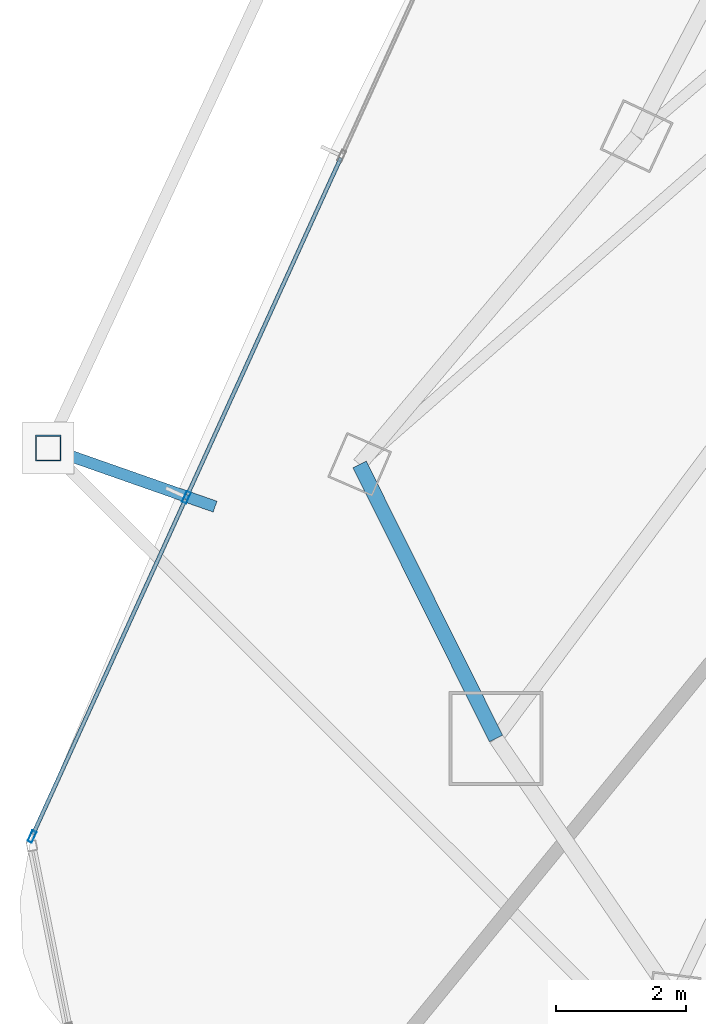
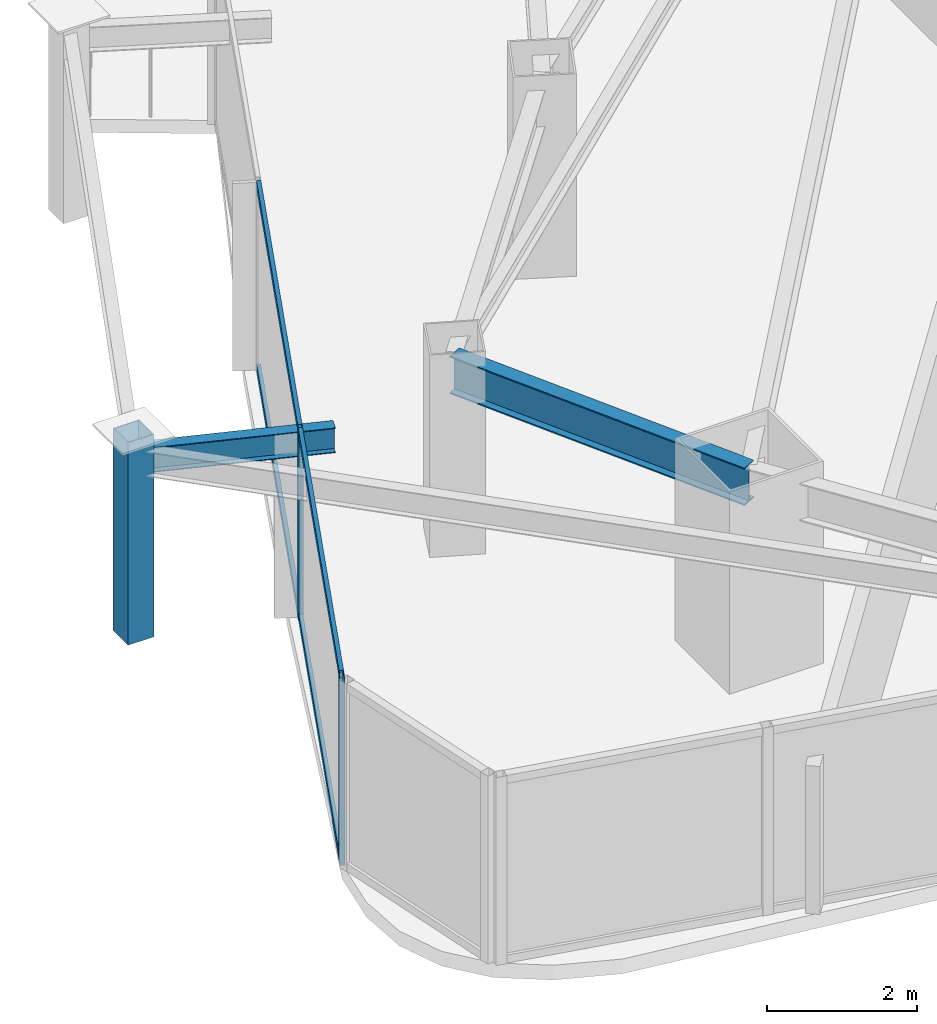
# One storey, part 5 of 33: 7 members, 2 beams, 1 element without a shape of its own.
"""IFC4 building model written with IfcOpenShell, lengths in metres."""

from ifc_helpers import new_model, si_unit, direction, frame, origin, origin_2d, place, context, subcontext, project, spatial, hollow_rectangle, i_section, extrude, material, layer, layer_set, material_profile, profile_set, type_object, element, aggregate, save


model = new_model("IFC4")

# Units and contexts
model_context = context("Model", 3, precision=1e-05, world=origin(), true_north=direction((0.0, 1.0)))
body_context = subcontext(model_context, "Body", "Model", "MODEL_VIEW")
ifc_project = project(units=[si_unit("LENGTHUNIT", "METRE"), si_unit("AREAUNIT", "SQUARE_METRE"), si_unit("VOLUMEUNIT", "CUBIC_METRE"), si_unit("PLANEANGLEUNIT", "RADIAN"), si_unit("MASSUNIT", "GRAM", prefix="KILO")], contexts=[model_context])

# Site, building, storey
site_placement = place(None, origin())
site = spatial("IfcSite", under=ifc_project, at=site_placement, CompositionType="ELEMENT")
building_placement = place(site_placement, origin())
building = spatial("IfcBuilding", under=site, at=building_placement, Name="Orvanel Arch Residences", CompositionType="ELEMENT")
storey_placement = place(building_placement, frame((0.0, 0.0, 123.199951171875)))
storey = spatial("IfcBuildingStorey", under=building, at=storey_placement, Name="L34", CompositionType="ELEMENT", Elevation=123.199951171875)

# Curtain wall, members
ifc_material_1 = material(Name="Bronze-anodised aluminium AA6063-T6", Category="aluminium")
ifc_layer = layer(ifc_material_1, 0.179931640625)
ifc_layer_set = layer_set([ifc_layer], Name="Bronze-anodised aluminium AA6063-T6")
curtain_wall_type = type_object("IfcCurtainWallType", Name="CW3-MID-SYS", PredefinedType="NOTDEFINED", material=ifc_layer_set)
curtain_wall_placement = place(storey_placement, origin())
curtain_wall = element("IfcCurtainWall", 1, at=curtain_wall_placement, inside=storey, type_object=curtain_wall_type, Name="L34 CW3-MID-SYS Unitised Curtain Wall", PredefinedType="NOTDEFINED")
ifc_material_profile_1 = material_profile(ifc_material_1, hollow_rectangle(XDim=0.070068359375, YDim=0.179931640625, WallThickness=0.00439453125, at=origin_2d()), Name="ALU180x70x4.5")
ifc_profile_set_1 = profile_set([ifc_material_profile_1], Name="Bronze-anodised aluminium AA6063-T6")
member_type_1 = type_object("IfcMemberType", Name="MUL-180x70", PredefinedType="MULLION", material=ifc_profile_set_1)
member_1_placement = place(storey_placement, frame((9.423583984375, 14.07275390625, 0.0), z_axis=(0.0, 0.0, 1.0), x_axis=(0.9102243469, -0.414115489097, 0.0)))
member_1 = element("IfcMember", 2, at=member_1_placement, type_object=member_type_1, Name="CW-S3 mullion 3", PredefinedType="MULLION", context=body_context, shape_type="SweptSolid", body=[
    extrude(hollow_rectangle(XDim=0.070068359375, YDim=0.179931640625, WallThickness=0.00439453125, at=origin_2d()), origin(), (0.0, 0.0, 1.0), 3.06005859375),
])
member_2_placement = place(storey_placement, frame((7.04248046875, 8.8388671875, 0.0), z_axis=(0.0, 0.0, 1.0), x_axis=(0.9102243469, -0.414115489097, 0.0)))
member_2 = element("IfcMember", 3, at=member_2_placement, type_object=member_type_1, Name="CW-S3 mullion 4", PredefinedType="MULLION", context=body_context, shape_type="SweptSolid", body=[
    extrude(hollow_rectangle(XDim=0.070068359375, YDim=0.179931640625, WallThickness=0.00439453125, at=origin_2d()), origin(), (0.0, 0.0, 1.0), 3.06005859375),
])

# Beams
ifc_material_2 = material(Name="Structural steel AS/NZS 3679.1 Grade 300 (300 MPa)", Category="steel")
ifc_material_profile_2 = material_profile(ifc_material_2, i_section(OverallWidth=0.177978515625, OverallDepth=0.406005859375, WebThickness=0.0078125, FlangeThickness=0.0126953125, at=origin_2d()), Name="410UB59.7")
ifc_profile_set_2 = profile_set([ifc_material_profile_2], Name="Structural steel AS/NZS 3679.1 Grade 300 (300 MPa)")
beam_type_1 = type_object("IfcBeamType", Name="OB-410UB-EXT", PredefinedType="SPANDREL", material=ifc_profile_set_2)
beam_1_placement = place(storey_placement, frame((9.865966796875, 13.927978515625, 2.85693359375), z_axis=(-0.943680931687, 0.330856916461, 0.0), x_axis=(-0.330856916461, -0.943680931687, 0.0)))
element("IfcBeam", 4, at=beam_1_placement, inside=storey, type_object=beam_type_1, Name="L34 Outer Frame Radial Tie Beam 04", PredefinedType="SPANDREL", context=body_context, shape_type="SweptSolid", body=[
    extrude(i_section(OverallWidth=0.177978515625, OverallDepth=0.406005859375, WebThickness=0.0078125, FlangeThickness=0.0126953125, at=origin_2d()), origin(), (0.0, 0.0, 1.0), 2.7265625),
])
ifc_material_profile_3 = material_profile(ifc_material_2, i_section(OverallWidth=0.22900390625, OverallDepth=0.612060546875, WebThickness=0.011962890625, FlangeThickness=0.01953125, at=origin_2d()), Name="610UB125")
ifc_profile_set_3 = profile_set([ifc_material_profile_3], Name="Structural steel AS/NZS 3679.1 Grade 300 (300 MPa)")
beam_type_2 = type_object("IfcBeamType", Name="SP-610UB", PredefinedType="SPANDREL", material=ifc_profile_set_3)
beam_2_placement = place(storey_placement, frame((12.094970703125, 14.580078125, 2.754150390625), z_axis=(0.44543469453, -0.895314432425, 0.0), x_axis=(0.895314432425, 0.44543469453, 0.0)))
element("IfcBeam", 5, at=beam_2_placement, inside=storey, type_object=beam_type_2, Name="L34 Perimeter Spandrel Beam 02", PredefinedType="SPANDREL", context=body_context, shape_type="SweptSolid", body=[
    extrude(i_section(OverallWidth=0.22900390625, OverallDepth=0.612060546875, WebThickness=0.011962890625, FlangeThickness=0.01953125, at=origin_2d()), origin(), (0.0, 0.0, 1.0), 4.723388671875),
])

# Member
ifc_material_3 = material(Name="Structural steel AS/NZS 1163 C450L0 (Grade 450)", Category="steel")
ifc_material_profile_4 = material_profile(ifc_material_3, hollow_rectangle(XDim=0.39990234375, YDim=0.39990234375, WallThickness=0.01611328125, at=origin_2d()), Name="SHS400x400x16")
ifc_profile_set_4 = profile_set([ifc_material_profile_4], Name="Structural steel AS/NZS 1163 C450L0 (Grade 450)")
member_type_2 = type_object("IfcMemberType", Name="ST-400SHS-EXT", PredefinedType="STRUT", material=ifc_profile_set_4)
member_3_placement = place(storey_placement, frame((7.29296875, 14.830078125, 0.0), z_axis=(0.0, 0.0, 1.0), x_axis=(1.0, 0.0, 0.0)))
element("IfcMember", 6, at=member_3_placement, inside=storey, type_object=member_type_2, Name="L34 Outer Perimeter Frame Post 04", PredefinedType="STRUT", context=body_context, shape_type="SweptSolid", body=[
    extrude(hollow_rectangle(XDim=0.39990234375, YDim=0.39990234375, WallThickness=0.01611328125, at=origin_2d()), origin(), (0.0, 0.0, 1.0), 3.300048828125),
])

ifc_material_profile_5 = material_profile(ifc_material_1, hollow_rectangle(XDim=0.06005859375, YDim=0.135009765625, WallThickness=0.00390625, at=origin_2d()), Name="ALU135x60x4")
ifc_profile_set_5 = profile_set([ifc_material_profile_5], Name="Bronze-anodised aluminium AA6063-T6")
member_type_3 = type_object("IfcMemberType", Name="TRN-135x60", PredefinedType="USERDEFINED", material=ifc_profile_set_5)
member_4_placement = place(storey_placement, frame((11.804931640625, 19.306396484375, 0.030029296875), z_axis=(-0.414121558628, -0.910221585483, 0.0), x_axis=(0.910221585483, -0.414121558628, 0.0)))
member_4 = element("IfcMember", 7, at=member_4_placement, type_object=member_type_3, Name="CW-S3 transom 2.1", ObjectType="TRANSOM", PredefinedType="USERDEFINED", context=body_context, shape_type="SweptSolid", body=[
    extrude(hollow_rectangle(XDim=0.06005859375, YDim=0.135009765625, WallThickness=0.00390625, at=origin_2d()), origin(), (0.0, 0.0, 1.0), 5.715087890625),
])

member_5_placement = place(storey_placement, frame((11.804931640625, 19.306396484375, 3.030029296875), z_axis=(-0.414121558628, -0.910221585483, 0.0), x_axis=(0.910221585483, -0.414121558628, 0.0)))
member_5 = element("IfcMember", 8, at=member_5_placement, type_object=member_type_3, Name="CW-S3 transom 2.2", ObjectType="TRANSOM", PredefinedType="USERDEFINED", context=body_context, shape_type="SweptSolid", body=[
    extrude(hollow_rectangle(XDim=0.06005859375, YDim=0.135009765625, WallThickness=0.00390625, at=origin_2d()), origin(), (0.0, 0.0, 1.0), 5.715087890625),
])

member_6_placement = place(storey_placement, frame((9.4091796875, 14.040771484375, 0.030029296875), z_axis=(-0.414126751339, -0.910219222949, 0.0), x_axis=(0.910219222949, -0.414126751339, 0.0)))
member_6 = element("IfcMember", 9, at=member_6_placement, type_object=member_type_3, Name="CW-S3 transom 3.1", ObjectType="TRANSOM", PredefinedType="USERDEFINED", context=body_context, shape_type="SweptSolid", body=[
    extrude(hollow_rectangle(XDim=0.06005859375, YDim=0.135009765625, WallThickness=0.00390625, at=origin_2d()), origin(), (0.0, 0.0, 1.0), 5.68017578125),
])

member_7_placement = place(storey_placement, frame((9.4091796875, 14.040771484375, 3.030029296875), z_axis=(-0.414126751339, -0.910219222949, 0.0), x_axis=(0.910219222949, -0.414126751339, 0.0)))
member_7 = element("IfcMember", 10, at=member_7_placement, type_object=member_type_3, Name="CW-S3 transom 3.2", ObjectType="TRANSOM", PredefinedType="USERDEFINED", context=body_context, shape_type="SweptSolid", body=[
    extrude(hollow_rectangle(XDim=0.06005859375, YDim=0.135009765625, WallThickness=0.00390625, at=origin_2d()), origin(), (0.0, 0.0, 1.0), 5.68017578125),
])

aggregate(curtain_wall, [member_1, member_2, member_4, member_5, member_6, member_7])

save(model, "model.ifc")
